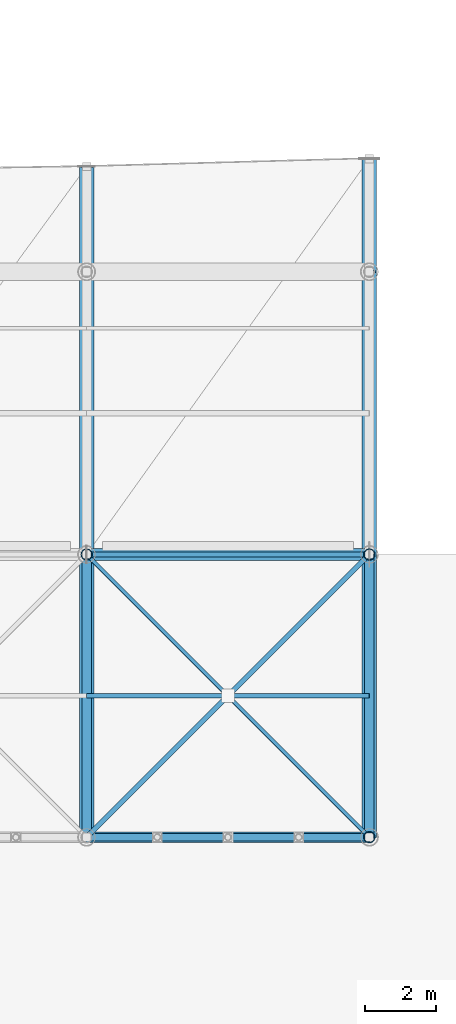
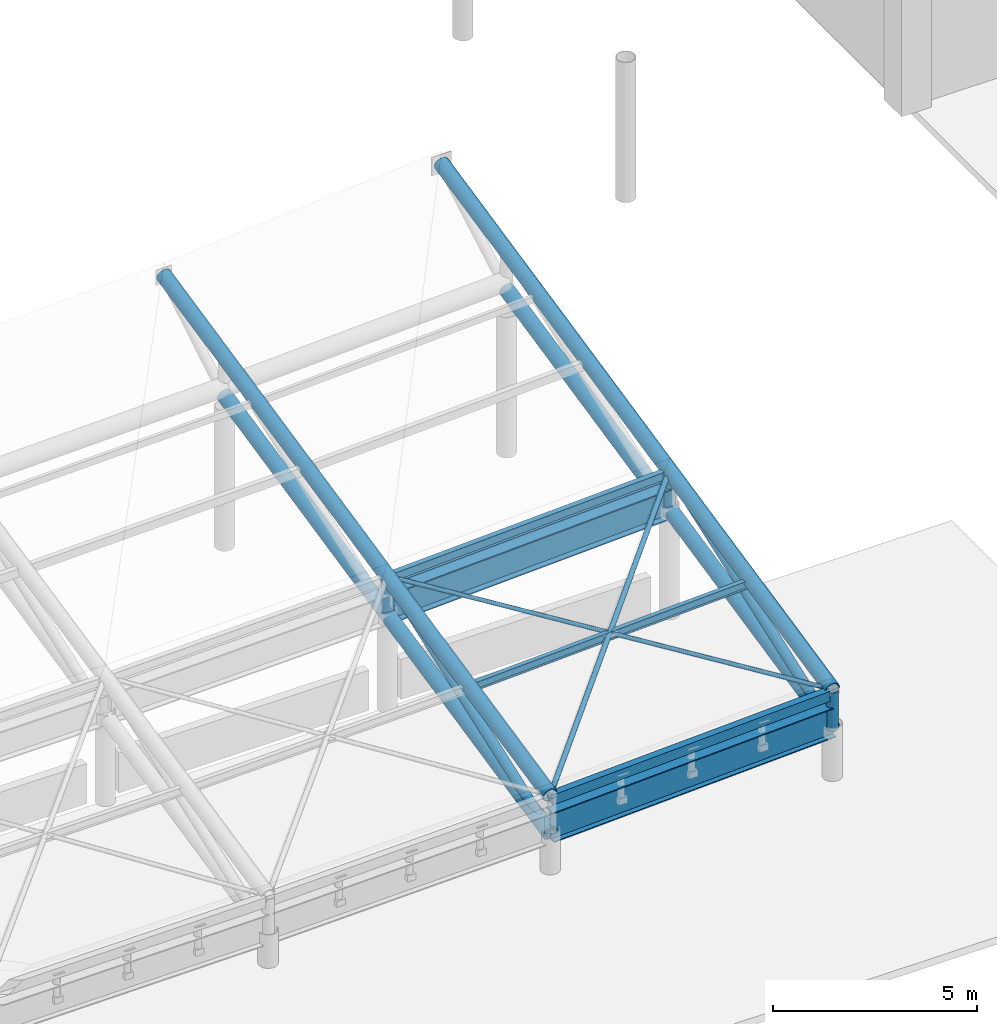
# One storey, part 24 of 78: 14 members, 3 beams.
"""IFC4 building model written with IfcOpenShell, lengths in metres."""

import ifcopenshell
import ifcopenshell.guid

model = None  # the IFC model being written
_history = None  # IfcOwnerHistory: only IFC2X3 demands one
_inside = {}  # id of a spatial element -> (the spatial element, [elements in it])
_under = {}  # id of a project, library or spatial element -> (it, [spatial elements below it])
_declared = {}  # id of a project -> (the project, [libraries it declares])
_typed = {}  # id of a type object -> (the type object, [elements of that type])
_made_of = {}  # id of a material, layer set ... -> (it, [elements and type objects made of it])


def new_model(schema):
    """Start an empty IFC model of exactly this schema.

    Asked for "IFC4X3", IfcOpenShell would pick the latest addendum, in which some entities
    have other attributes; the version numbers below select the first issue.
    IFC2X3 requires an IfcOwnerHistory on every rooted entity: one is made here for all.
    """
    global model, _history
    if schema == "IFC4X3":
        model = ifcopenshell.file(schema_version=(4, 3, 0, 0))
    else:
        model = ifcopenshell.file(schema=schema)
    _inside.clear()
    _under.clear()
    _declared.clear()
    _typed.clear()
    _made_of.clear()
    _history = None
    if model.schema == "IFC2X3":
        org = make("IfcOrganization", Name="unknown")
        user = make(
            "IfcPersonAndOrganization",
            ThePerson=make("IfcPerson", FamilyName="unknown"),
            TheOrganization=org,
        )
        app = make(
            "IfcApplication",
            ApplicationDeveloper=org,
            Version="unknown",
            ApplicationFullName="unknown",
            ApplicationIdentifier="unknown",
        )
        _history = make(
            "IfcOwnerHistory",
            OwningUser=user,
            OwningApplication=app,
            ChangeAction="ADDED",
            CreationDate=0,
        )
    return model


def make(cls, **values):
    """One entity of the class cls with the attributes given. An attribute that is None is left unset."""
    return model.create_entity(
        cls, **{name: value for name, value in values.items() if value is not None}
    )


def rooted(cls, **values):
    """An entity with a GlobalId (a new one), such as an element, a storey or a relation."""
    return make(cls, GlobalId=ifcopenshell.guid.new(), OwnerHistory=_history, **values)


def si_unit(unit_type, name, prefix=None):
    """IfcSIUnit, for example si_unit("LENGTHUNIT", "METRE", prefix="MILLI")."""
    return make("IfcSIUnit", UnitType=unit_type, Prefix=prefix, Name=name)


def assignment(units):
    """IfcUnitAssignment: the units of a project."""
    return None if units is None else make("IfcUnitAssignment", Units=units)


def point(xyz):
    """IfcCartesianPoint."""
    return None if xyz is None else make("IfcCartesianPoint", Coordinates=xyz)


def direction(xyz):
    """IfcDirection."""
    return None if xyz is None else make("IfcDirection", DirectionRatios=xyz)


def frame(location, z_axis=None, x_axis=None):
    """IfcAxis2Placement3D, a coordinate frame: its origin and axes. An axis left out is left unset."""
    return make(
        "IfcAxis2Placement3D",
        Location=point(location),
        Axis=direction(z_axis),
        RefDirection=direction(x_axis),
    )


def frame_2d(location, x_axis=None):
    """IfcAxis2Placement2D, a coordinate frame in the plane: its origin and x axis."""
    return make(
        "IfcAxis2Placement2D", Location=point(location), RefDirection=direction(x_axis)
    )


def origin():
    """The frame at (0, 0, 0) with its axes left unset."""
    return frame((0.0, 0.0, 0.0))


def origin_2d():
    """The frame at (0, 0) in the plane with its x axis left unset."""
    return frame_2d((0.0, 0.0))


def place(relative_to, where):
    """IfcLocalPlacement: puts the frame where relative to a parent placement (None: the world)."""
    return make(
        "IfcLocalPlacement", PlacementRelTo=relative_to, RelativePlacement=where
    )


def context(
    kind, dimensions, precision=None, world=None, true_north=None, identifier=None
):
    """IfcGeometricRepresentationContext, for example the 3D "Model" context."""
    return make(
        "IfcGeometricRepresentationContext",
        ContextIdentifier=identifier,
        ContextType=kind,
        CoordinateSpaceDimension=dimensions,
        Precision=precision,
        WorldCoordinateSystem=world,
        TrueNorth=true_north,
    )


def subcontext(parent, identifier, kind, view, scale=None):
    """IfcGeometricRepresentationSubContext, for example "Body" below "Model"."""
    return make(
        "IfcGeometricRepresentationSubContext",
        ContextIdentifier=identifier,
        ContextType=kind,
        ParentContext=parent,
        TargetScale=scale,
        TargetView=view,
    )


def project(units=None, contexts=None):
    """IfcProject with its units and contexts."""
    return rooted(
        "IfcProject",
        Name="project",
        RepresentationContexts=contexts,
        UnitsInContext=assignment(units),
    )


def spatial(cls, under=None, at=None, **own):
    """A site, building, storey or space (cls), placed at a placement, below another one or the project."""
    s = rooted(cls, ObjectPlacement=at, **own)
    if under is not None:
        _under.setdefault(under.id(), (under, []))[1].append(s)
    return s


def profile(cls, at=None, kind="AREA", **sizes):
    """A parametric profile (cls). Its sizes go by their IFC names, for example OverallWidth=200.0."""
    return make(cls, ProfileType=kind, Position=at, **sizes)


def hollow_rectangle(**sizes):
    """IfcRectangleHollowProfileDef."""
    return profile("IfcRectangleHollowProfileDef", **sizes)


def hollow_circle(**sizes):
    """IfcCircleHollowProfileDef."""
    return profile("IfcCircleHollowProfileDef", **sizes)


def i_section(**sizes):
    """IfcIShapeProfileDef."""
    return profile("IfcIShapeProfileDef", **sizes)


def extrude(swept, where, along, depth):
    """IfcExtrudedAreaSolid: the profile swept, set in the frame where, extruded along a direction by depth."""
    return make(
        "IfcExtrudedAreaSolid",
        SweptArea=swept,
        Position=where,
        ExtrudedDirection=direction(along),
        Depth=depth,
    )


def shape(context_of_items, identifier, shape_type, items):
    """IfcShapeRepresentation: the items that make up one representation, for example the "Body"."""
    return make(
        "IfcShapeRepresentation",
        ContextOfItems=context_of_items,
        RepresentationIdentifier=identifier,
        RepresentationType=shape_type,
        Items=items,
    )


def material(Name=None, Category=None):
    """IfcMaterial."""
    return make("IfcMaterial", Name=Name, Category=Category)


def material_profile(
    of_material, cross_section, Name=None, Category=None, Priority=None
):
    """IfcMaterialProfile: a cross section and its material."""
    return make(
        "IfcMaterialProfile",
        Name=Name,
        Material=of_material,
        Profile=cross_section,
        Priority=Priority,
        Category=Category,
    )


def profile_set(profiles, Name=None, composite=None):
    """IfcMaterialProfileSet."""
    return make(
        "IfcMaterialProfileSet",
        Name=Name,
        MaterialProfiles=profiles,
        CompositeProfile=composite,
    )


def made_of(thing, what):
    """Note that an element or type object is made of a material, layer set ...; save() writes the relation."""
    if what is not None:
        _made_of.setdefault(what.id(), (what, []))[1].append(thing)
    return thing


def type_object(cls, material=None, **own):
    """A type object (cls), such as IfcWallType, which elements share."""
    return made_of(rooted(cls, **own), material)


def element(
    cls,
    number,
    at=None,
    inside=None,
    cuts=None,
    type_object=None,
    material=None,
    context=None,
    identifier="Body",
    shape_type=None,
    held_by="IfcProductDefinitionShape",
    body=None,
    shapes=None,
    **own,
):
    """One element of the class cls, such as IfcWall. Its Tag is "e" and its number.

    at: its placement. inside: the storey or other place that contains it. cuts: it is an
    opening in that element (IfcRelVoidsElement). A single representation is given by context,
    identifier, shape_type and body (its items); several are given by shapes. held_by: the class
    of the entity that holds the representations. save() writes the other relations.
    """
    e = rooted(cls, Tag="e%d" % number, ObjectPlacement=at, **own)
    if body is not None:
        shapes = [shape(context, identifier, shape_type, body)]
    if shapes is not None:
        e.Representation = make(held_by, Representations=shapes)
    if inside is not None:
        _inside.setdefault(inside.id(), (inside, []))[1].append(e)
    if cuts is not None:
        rooted(
            "IfcRelVoidsElement", RelatingBuildingElement=cuts, RelatedOpeningElement=e
        )
    if type_object is not None:
        _typed.setdefault(type_object.id(), (type_object, []))[1].append(e)
    return made_of(e, material)


def aggregate(whole, parts):
    """IfcRelAggregates: a whole, such as a stair, and the parts it consists of."""
    return rooted("IfcRelAggregates", RelatingObject=whole, RelatedObjects=parts)


def save(model, path):
    """Write the relations noted so far, then the file.

    IfcRelAggregates (storeys below a building ...), IfcRelContainedInSpatialStructure (elements
    in a storey), IfcRelDefinesByType, IfcRelAssociatesMaterial and IfcRelDeclares: one each for
    every whole, place, type object, material and project.
    """
    for whole, parts in _under.values():
        aggregate(whole, parts)
    for where, things in _inside.values():
        rooted(
            "IfcRelContainedInSpatialStructure",
            RelatedElements=things,
            RelatingStructure=where,
        )
    for kind, things in _typed.values():
        rooted("IfcRelDefinesByType", RelatedObjects=things, RelatingType=kind)
    for what, things in _made_of.values():
        rooted("IfcRelAssociatesMaterial", RelatedObjects=things, RelatingMaterial=what)
    for by, libraries in _declared.values():
        rooted("IfcRelDeclares", RelatingContext=by, RelatedDefinitions=libraries)
    model.write(path)


model = new_model("IFC4")

# Units and contexts
model_context = context("Model", 3, precision=1e-05, world=origin(), true_north=direction((0.0, 1.0)))
body_context = subcontext(model_context, "Body", "Model", "MODEL_VIEW")
ifc_project = project(units=[si_unit("LENGTHUNIT", "METRE"), si_unit("AREAUNIT", "SQUARE_METRE"), si_unit("VOLUMEUNIT", "CUBIC_METRE"), si_unit("PLANEANGLEUNIT", "RADIAN"), si_unit("MASSUNIT", "GRAM", prefix="KILO")], contexts=[model_context])

# Site, building, storey
site_placement = place(None, origin())
site = spatial("IfcSite", under=ifc_project, at=site_placement, CompositionType="ELEMENT")
building_placement = place(site_placement, origin())
building = spatial("IfcBuilding", under=site, at=building_placement, Name="Haebicheon Civic Stadium", CompositionType="ELEMENT")
storey_placement = place(building_placement, frame((0.0, 0.0, 18.60009765625)))
storey = spatial("IfcBuildingStorey", under=building, at=storey_placement, Name="L05", CompositionType="ELEMENT", Elevation=18.60009765625)

# Members
ifc_material_1 = material(Name="White painted steel SM490", Category="steel")
ifc_material_profile_1 = material_profile(ifc_material_1, hollow_circle(Radius=0.05712890625, WallThickness=0.006103515625, at=origin_2d()), Name="CHS-114.3x6.0")
ifc_profile_set_1 = profile_set([ifc_material_profile_1], Name="White painted steel SM490")
member_type_1 = type_object("IfcMemberType", Name="BRC-CHS114", PredefinedType="BRACE", material=ifc_profile_set_1)
member_1_placement = place(storey_placement, frame((128.0, 24.0, 2.5869140625), z_axis=(-0.702102529055, 0.702102529055, 0.118760588531), x_axis=(-0.707106781187, -0.707106781187, 0.0)))
element("IfcMember", 1, at=member_1_placement, inside=storey, type_object=member_type_1, material=ifc_profile_set_1, Name="BR114 diagonal brace CAN-SOUTH canopy bay 6 B1", PredefinedType="BRACE", context=body_context, shape_type="SweptSolid", body=[
    extrude(hollow_circle(Radius=0.05712890625, WallThickness=0.006103515625, at=origin_2d()), origin(), (0.0, 0.0, 1.0), 5.62451171875),
])
member_2_placement = place(storey_placement, frame((123.948974609375, 28.051025390625, 3.27294921875), z_axis=(-0.702116996271, 0.702116996271, 0.118589405491), x_axis=(-0.707106781187, -0.707106781187, 0.0)))
element("IfcMember", 2, at=member_2_placement, inside=storey, type_object=member_type_1, material=ifc_profile_set_1, Name="BR114 diagonal brace CAN-SOUTH canopy bay 6 B2", PredefinedType="BRACE", context=body_context, shape_type="SweptSolid", body=[
    extrude(hollow_circle(Radius=0.05712890625, WallThickness=0.006103515625, at=origin_2d()), origin(), (0.0, 0.0, 1.0), 5.624267578125),
])
ifc_material_2 = material(Name="White painted steel SM490", Category="steel")
ifc_material_profile_2 = material_profile(ifc_material_2, hollow_circle(Radius=0.06982421875, WallThickness=0.006591796875, at=origin_2d()), Name="CHS-139.8x6.6")
ifc_profile_set_2 = profile_set([ifc_material_profile_2], Name="White painted steel SM490")
member_type_2 = type_object("IfcMemberType", Name="BRC-CHS139", PredefinedType="BRACE", material=ifc_profile_set_2)
member_3_placement = place(storey_placement, frame((120.0, 24.0, 2.219970703125), z_axis=(0.695375628973, 0.695375628973, 0.181398647353), x_axis=(-0.707106781187, 0.707106781187, 0.0)))
element("IfcMember", 3, at=member_3_placement, inside=storey, type_object=member_type_2, material=ifc_profile_set_2, Name="BR139 diagonal brace CAN-SOUTH canopy bay 6 A", PredefinedType="BRACE", context=body_context, shape_type="SweptSolid", body=[
    extrude(hollow_circle(Radius=0.06982421875, WallThickness=0.006591796875, at=origin_2d()), origin(), (0.0, 0.0, 1.0), 11.504638671875),
])
ifc_material_3 = material(Name="White painted steel SM490", Category="steel")
ifc_material_profile_3 = material_profile(ifc_material_3, hollow_circle(Radius=0.1337890625, WallThickness=0.011962890625, at=origin_2d()), Name="CHS-267.4x12.0")
ifc_profile_set_3 = profile_set([ifc_material_profile_3], Name="White painted steel SM490")
member_type_3 = type_object("IfcMemberType", Name="BRC-CHS267", PredefinedType="BRACE", material=ifc_profile_set_3)
for number, where, z_axis, x_axis, name in (
    (4, (120.0, 24.0, 1.06982421875), (0.0, 0.941257424358, 0.337689888939), (-1.0, 0.0, 0.0), "BR267 diagonal brace CAN-SOUTH truss 6 D1"),
    (5, (128.0, 24.0, 1.43701171875), (0.0, 0.9412665544, 0.3376644393), (-1.0, 0.0, 0.0), "BR267 diagonal brace CAN-SOUTH truss 7 D1"),
):
    element("IfcMember", number, at=place(storey_placement, frame(where, z_axis=z_axis, x_axis=x_axis)), inside=storey, type_object=member_type_3, material=ifc_profile_set_3, Name=name, PredefinedType="BRACE", context=body_context, shape_type="SweptSolid", body=[
        extrude(hollow_circle(Radius=0.1337890625, WallThickness=0.011962890625, at=origin_2d()), origin(), (0.0, 0.0, 1.0), 8.499267578125),
    ])
ifc_material_4 = material(Name="White painted steel SM490", Category="steel")
ifc_material_profile_4 = material_profile(ifc_material_4, hollow_circle(Radius=0.203125, WallThickness=0.01806640625, at=origin_2d()), Name="CHS-406.4x18.0")
ifc_profile_set_4 = profile_set([ifc_material_profile_4], Name="White painted steel SM490")
member_type_4 = type_object("IfcMemberType", Name="CHD-CHS406", PredefinedType="CHORD", material=ifc_profile_set_4)
member_4_placement = place(storey_placement, frame((120.0, 24.0, 2.219970703125), z_axis=(0.0, 0.977663791929, 0.210174950818), x_axis=(-1.0, 0.0, 0.0)))
element("IfcMember", 6, at=member_4_placement, inside=storey, type_object=member_type_4, material=ifc_profile_set_4, Name="CH406 truss chord CAN-SOUTH 6 top", PredefinedType="CHORD", context=body_context, shape_type="SweptSolid", body=[
    extrude(hollow_circle(Radius=0.203125, WallThickness=0.01806640625, at=origin_2d()), origin(), (0.0, 0.0, 1.0), 19.41162109375),
])
member_5_placement = place(storey_placement, frame((120.0, 24.0, 1.06982421875), z_axis=(0.0, 0.977656784121, 0.210207546159), x_axis=(-1.0, 0.0, 0.0)))
element("IfcMember", 7, at=member_5_placement, inside=storey, type_object=member_type_4, material=ifc_profile_set_4, Name="CH406 truss chord CAN-SOUTH 6 bottom", PredefinedType="CHORD", context=body_context, shape_type="SweptSolid", body=[
    extrude(hollow_circle(Radius=0.203125, WallThickness=0.01806640625, at=origin_2d()), origin(), (0.0, 0.0, 1.0), 16.36572265625),
])
member_6_placement = place(storey_placement, frame((128.0, 24.0, 2.5869140625), z_axis=(0.0, 0.977659739959, 0.210193798345), x_axis=(-1.0, 0.0, 0.0)))
element("IfcMember", 8, at=member_6_placement, inside=storey, type_object=member_type_4, material=ifc_profile_set_4, Name="CH406 truss chord CAN-SOUTH 7 top", PredefinedType="CHORD", context=body_context, shape_type="SweptSolid", body=[
    extrude(hollow_circle(Radius=0.203125, WallThickness=0.01806640625, at=origin_2d()), origin(), (0.0, 0.0, 1.0), 19.638671875),
])
member_7_placement = place(storey_placement, frame((128.0, 24.0, 1.43701171875), z_axis=(0.0, 0.977659849808, 0.210193287411), x_axis=(-1.0, 0.0, 0.0)))
element("IfcMember", 9, at=member_7_placement, inside=storey, type_object=member_type_4, material=ifc_profile_set_4, Name="CH406 truss chord CAN-SOUTH 7 bottom", PredefinedType="CHORD", context=body_context, shape_type="SweptSolid", body=[
    extrude(hollow_circle(Radius=0.203125, WallThickness=0.01806640625, at=origin_2d()), origin(), (0.0, 0.0, 1.0), 16.36572265625),
])
ifc_material_5 = material(Name="White painted steel SM490", Category="steel")
ifc_material_profile_5 = material_profile(ifc_material_5, i_section(OverallWidth=0.125, OverallDepth=0.25, WebThickness=0.006103515625, FlangeThickness=0.009033203125, at=origin_2d()), Name="H-250x125x6x9")
ifc_profile_set_5 = profile_set([ifc_material_profile_5], Name="White painted steel SM490")
member_type_5 = type_object("IfcMemberType", Name="PRL-ST-H250", PredefinedType="PURLIN", material=ifc_profile_set_5)
member_8_placement = place(storey_placement, frame((120.0, 28.0, 3.012939453125), z_axis=(0.998949723901, 0.0, 0.045819745942), x_axis=(0.0, 1.0, 0.0)))
element("IfcMember", 10, at=member_8_placement, inside=storey, type_object=member_type_5, material=ifc_profile_set_5, Name="CAN-SOUTH canopy purlin bay 6 (25%)", PredefinedType="PURLIN", context=body_context, shape_type="SweptSolid", body=[
    extrude(i_section(OverallWidth=0.125, OverallDepth=0.25, WebThickness=0.006103515625, FlangeThickness=0.009033203125, at=origin_2d()), origin(), (0.0, 0.0, 1.0), 8.00830078125),
])
ifc_material_6 = material(Name="White painted steel SM490", Category="steel")
ifc_material_profile_6 = material_profile(ifc_material_6, i_section(OverallWidth=0.14990234375, OverallDepth=0.300048828125, WebThickness=0.006591796875, FlangeThickness=0.009033203125, at=origin_2d()), Name="H-300x150x6.5x9")
ifc_profile_set_6 = profile_set([ifc_material_profile_6], Name="White painted steel SM490")
member_type_6 = type_object("IfcMemberType", Name="PRL-ST-H300", PredefinedType="PURLIN", material=ifc_profile_set_6)
member_9_placement = place(storey_placement, frame((120.0, 32.0, 3.847900390625), z_axis=(0.998949723901, 0.0, 0.045819745942), x_axis=(0.0, 1.0, 0.0)))
element("IfcMember", 11, at=member_9_placement, inside=storey, type_object=member_type_6, material=ifc_profile_set_6, Name="CAN-SOUTH canopy purlin bay 6 (50%)", PredefinedType="PURLIN", context=body_context, shape_type="SweptSolid", body=[
    extrude(i_section(OverallWidth=0.14990234375, OverallDepth=0.300048828125, WebThickness=0.006591796875, FlangeThickness=0.009033203125, at=origin_2d()), origin(), (0.0, 0.0, 1.0), 8.00830078125),
])

# Beams
ifc_material_7 = material(Name="White painted steel SM490", Category="steel")
ifc_material_profile_7 = material_profile(ifc_material_7, i_section(OverallWidth=0.35009765625, OverallDepth=0.89990234375, WebThickness=0.01806640625, FlangeThickness=0.031982421875, at=origin_2d()), Name="H-900x350x18x32")
ifc_profile_set_7 = profile_set([ifc_material_profile_7], Name="White painted steel SM490")
beam_type_1 = type_object("IfcBeamType", Name="RB-ST-H900A", PredefinedType="USERDEFINED", material=ifc_profile_set_7)
beam_1_placement = place(storey_placement, frame((120.0, 32.0, 3.039794921875), z_axis=(0.998948328068, 0.0, 0.045850167402), x_axis=(0.0, 1.0, 0.0)))
element("IfcBeam", 12, at=beam_1_placement, inside=storey, type_object=beam_type_1, material=ifc_profile_set_7, Name="CAN-SOUTH polygonal ring beam RB-PIV bay 6", ObjectType="RING BEAM", PredefinedType="USERDEFINED", context=body_context, shape_type="SweptSolid", body=[
    extrude(i_section(OverallWidth=0.35009765625, OverallDepth=0.89990234375, WebThickness=0.01806640625, FlangeThickness=0.031982421875, at=origin_2d()), origin(), (0.0, 0.0, 1.0), 8.00830078125),
])
ifc_material_8 = material(Name="White painted steel SM490", Category="steel")
ifc_material_profile_8 = material_profile(ifc_material_8, i_section(OverallWidth=0.300048828125, OverallDepth=0.89990234375, WebThickness=0.01611328125, FlangeThickness=0.028076171875, at=origin_2d()), Name="H-900x300x16x28")
ifc_profile_set_8 = profile_set([ifc_material_profile_8], Name="White painted steel SM490")
beam_type_2 = type_object("IfcBeamType", Name="RB-ST-H900B", PredefinedType="USERDEFINED", material=ifc_profile_set_8)
beam_2_placement = place(storey_placement, frame((120.0, 24.0, 1.31982421875), z_axis=(0.998948328068, 0.0, 0.045850167402), x_axis=(0.0, 1.0, 0.0)))
element("IfcBeam", 13, at=beam_2_placement, inside=storey, type_object=beam_type_2, material=ifc_profile_set_8, Name="CAN-SOUTH polygonal ring beam RB-BCK bay 6", ObjectType="RING BEAM", PredefinedType="USERDEFINED", context=body_context, shape_type="SweptSolid", body=[
    extrude(i_section(OverallWidth=0.300048828125, OverallDepth=0.89990234375, WebThickness=0.01611328125, FlangeThickness=0.028076171875, at=origin_2d()), origin(), (0.0, 0.0, 1.0), 8.00830078125),
])
ifc_material_9 = material(Name="White painted steel SM490", Category="steel")
ifc_material_profile_9 = material_profile(ifc_material_9, hollow_rectangle(XDim=0.199951171875, YDim=0.300048828125, WallThickness=0.011962890625, at=origin_2d()), Name="RHS-300x200x12.0")
ifc_profile_set_9 = profile_set([ifc_material_profile_9], Name="White painted steel SM490")
beam_type_3 = type_object("IfcBeamType", Name="RB-ST-RHS300", PredefinedType="USERDEFINED", material=ifc_profile_set_9)
beam_3_placement = place(storey_placement, frame((120.0, 24.0, 2.119873046875), z_axis=(0.998949723901, 0.0, 0.045819745942), x_axis=(0.0, 1.0, 0.0)))
element("IfcBeam", 14, at=beam_3_placement, inside=storey, type_object=beam_type_3, material=ifc_profile_set_9, Name="CAN-SOUTH polygonal ring beam RB-TOP bay 6", ObjectType="RING BEAM", PredefinedType="USERDEFINED", context=body_context, shape_type="SweptSolid", body=[
    extrude(hollow_rectangle(XDim=0.199951171875, YDim=0.300048828125, WallThickness=0.011962890625, at=origin_2d()), origin(), (0.0, 0.0, 1.0), 8.00830078125),
])

# Members
ifc_material_10 = material(Name="White painted steel SM490", Category="steel")
ifc_material_profile_10 = material_profile(ifc_material_10, hollow_circle(Radius=0.1591796875, WallThickness=0.013916015625, at=origin_2d()), Name="CHS-318.5x14.0")
ifc_profile_set_10 = profile_set([ifc_material_profile_10], Name="White painted steel SM490")
member_type_7 = type_object("IfcMemberType", Name="STR-CHS318", PredefinedType="STRUT", material=ifc_profile_set_10)
member_10_placement = place(storey_placement, frame((120.0, 32.0, 2.789794921875), z_axis=(0.0, 0.0, 1.0), x_axis=(1.0, 0.0, 0.0)))
element("IfcMember", 15, at=member_10_placement, inside=storey, type_object=member_type_7, material=ifc_profile_set_10, Name="ST318 web strut CAN-SOUTH truss 6 VP", PredefinedType="STRUT", context=body_context, shape_type="SweptSolid", body=[
    extrude(hollow_circle(Radius=0.1591796875, WallThickness=0.013916015625, at=origin_2d()), origin(), (0.0, 0.0, 1.0), 1.150146484375),
])
for number, where, z_axis, x_axis, name in (
    (16, (128.0, 24.0, 1.43701171875), (0.0, 0.0, 1.0), (1.0, 0.0, 0.0), "ST318 web strut CAN-SOUTH truss 7 VB"),
    (17, (128.0, 32.0, 3.156982421875), (0.0, 0.0, 1.0), (1.0, 0.0, 0.0), "ST318 web strut CAN-SOUTH truss 7 VP"),
):
    element("IfcMember", number, at=place(storey_placement, frame(where, z_axis=z_axis, x_axis=x_axis)), inside=storey, type_object=member_type_7, material=ifc_profile_set_10, Name=name, PredefinedType="STRUT", context=body_context, shape_type="SweptSolid", body=[
        extrude(hollow_circle(Radius=0.1591796875, WallThickness=0.013916015625, at=origin_2d()), origin(), (0.0, 0.0, 1.0), 1.14990234375),
    ])

save(model, "model.ifc")
